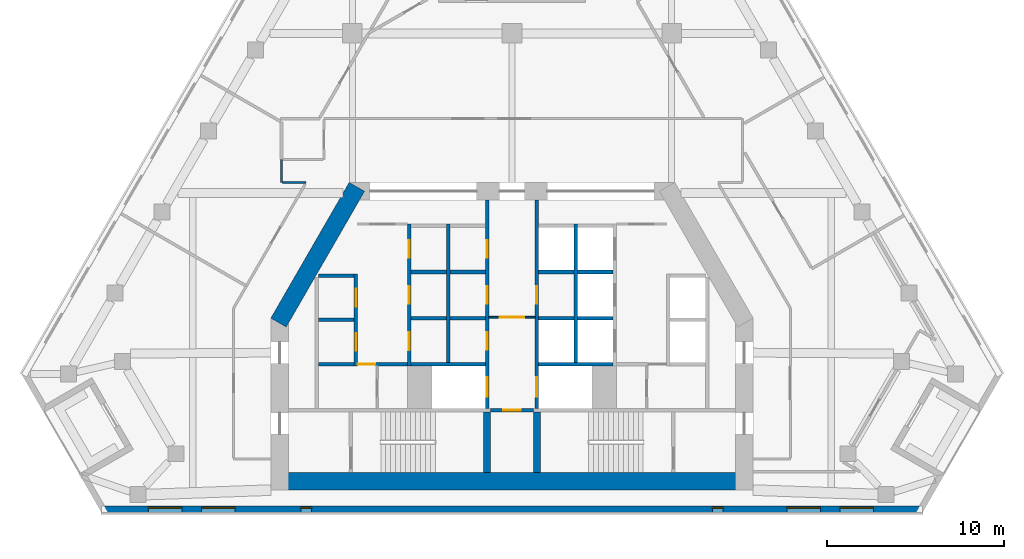
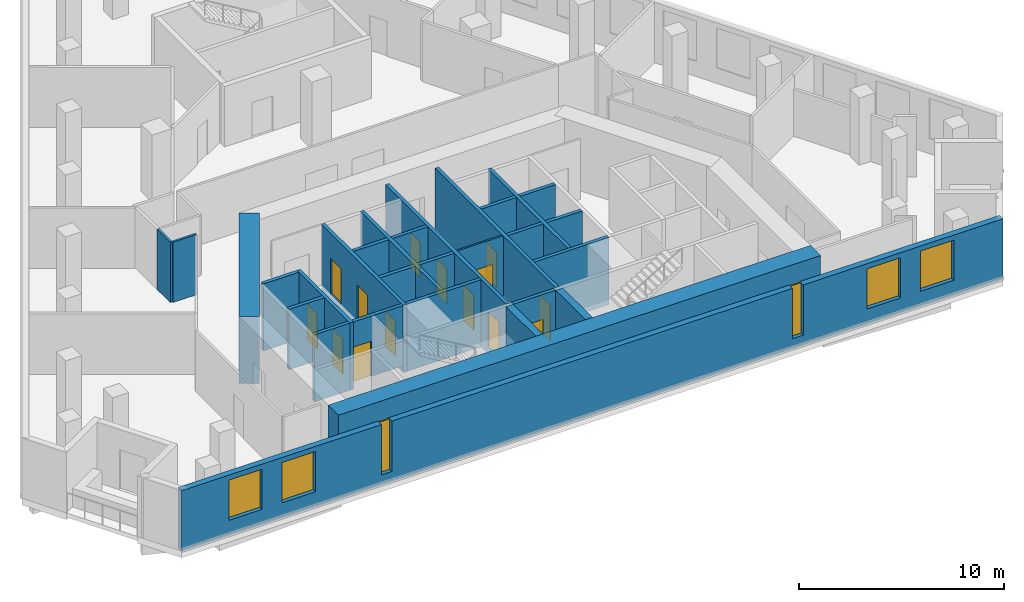
# One storey, part 4 of 9: 29 walls, 14 doors, 6 windows, 20 openings.
"""IFC4 building model written with IfcOpenShell, lengths in metres."""

from ifc_helpers import new_model, si_unit, direction, frame, frame_2d, origin, place, context, subcontext, project, spatial, rectangle, extrude, material, layer, layer_set, type_object, element, fill, save


model = new_model("IFC4")

# Units and contexts
model_context = context("Model", 3, precision=1e-05, world=origin(), true_north=direction((0.0, 1.0)))
body_context = subcontext(model_context, "Body", "Model", "MODEL_VIEW")
ifc_project = project(units=[si_unit("LENGTHUNIT", "METRE"), si_unit("AREAUNIT", "SQUARE_METRE"), si_unit("VOLUMEUNIT", "CUBIC_METRE"), si_unit("PLANEANGLEUNIT", "RADIAN"), si_unit("MASSUNIT", "GRAM", prefix="KILO")], contexts=[model_context])

# Site, building, storey
site_placement = place(None, origin())
site = spatial("IfcSite", under=ifc_project, at=site_placement, CompositionType="ELEMENT")
building_placement = place(site_placement, origin())
building = spatial("IfcBuilding", under=site, at=building_placement, Name="Fogline Exchange Tower", CompositionType="ELEMENT")
storey_placement = place(building_placement, frame((0.0, 0.0, 202.10009765625)))
storey = spatial("IfcBuildingStorey", under=building, at=storey_placement, Name="L45", CompositionType="ELEMENT", Elevation=202.10009765625)

# Wall, opening, door
ifc_material_1 = material(Name="Blockwork partition", Category="masonry")
ifc_layer_1 = layer(ifc_material_1, 0.10009765625)
ifc_layer_set_1 = layer_set([ifc_layer_1], Name="CW10")
wall_type_1 = type_object("IfcWallType", Name="CW10", PredefinedType="PARTITIONING", material=ifc_layer_set_1)
wall_1_placement = place(storey_placement, frame((-1.300048828125, 11.0, 0.0), z_axis=(0.0, 0.0, 1.0), x_axis=(1.0, 0.0, 0.0)))
wall_1 = element("IfcWall", 1, at=wall_1_placement, inside=storey, type_object=wall_type_1, Name="Lift lobby partition", PredefinedType="PARTITIONING", context=body_context, shape_type="SweptSolid", body=[
    extrude(rectangle(XDim=2.60009765625, YDim=0.10009765625, at=frame_2d((1.300048828125, 0.0))), origin(), (0.0, 0.0, 1.0), 3.599853515625),
])
opening_1_placement = place(wall_1_placement, frame((0.60009765625, 0.0, 0.0)))
opening_1 = element("IfcOpeningElement", 2, at=opening_1_placement, cuts=wall_1, Name="Opening T14-C023", PredefinedType="OPENING", context=body_context, shape_type="SweptSolid", body=[
    extrude(rectangle(XDim=1.39990234375, YDim=2.10009765625, at=frame_2d((0.699951171875, 1.050048828125))), frame((0.0, 0.06005859375, 0.0), z_axis=(0.0, -1.0, 0.0), x_axis=(1.0, 0.0, 0.0)), (0.0, 0.0, 1.0), 0.1201171875),
])
ifc_material_2 = material(Name="Steel and timber fire door", Category="steel")
door_type_1 = type_object("IfcDoorType", Name="D-LB1", OperationType="DOUBLE_DOOR_SINGLE_SWING", PredefinedType="DOOR", material=ifc_material_2)
door_1_placement = place(opening_1_placement, frame((1.39990234375, 0.0, 0.0), z_axis=(0.0, 0.0, 1.0), x_axis=(-1.0, 0.0, 0.0)))
door_1 = element("IfcDoor", 3, at=door_1_placement, inside=storey, type_object=door_type_1, Name="Door to firefighting lift lobby", OperationType="DOUBLE_DOOR_SINGLE_SWING", OverallHeight=2.10009765625, OverallWidth=1.39990234375, PredefinedType="DOOR", context=body_context, shape_type="SweptSolid", body=[
    extrude(rectangle(XDim=1.39990234375, YDim=2.10009765625, at=frame_2d((0.699951171875, 1.050048828125))), frame((0.0, 0.02490234375, 0.0), z_axis=(0.0, -1.0, 0.0), x_axis=(1.0, 0.0, 0.0)), (0.0, 0.0, 1.0), 0.050048828125),
])
fill(opening_1, door_1)

# Walls
ifc_material_3 = material(Name="Concrete C40", Category="concrete")
ifc_layer_2 = layer(ifc_material_3, 0.199951171875)
ifc_layer_set_2 = layer_set([ifc_layer_2], Name="CW20")
wall_type_2 = type_object("IfcWallType", Name="CW20", PredefinedType="SOLIDWALL", material=ifc_layer_set_2)
for number, where, z_axis, x_axis, name in (
    (4, (-10.89990234375, 10.85009765625, 0.0), (0.0, 0.0, 1.0), (1.0, 0.0, 0.0), "Service room wall"),
    (5, (-5.699951171875, 10.949951171875, 0.0), (0.0, 0.0, 1.0), (1.0, 0.0, 0.0), "Service room wall"),
    (6, (-5.699951171875, 13.550048828125, 0.0), (0.0, 0.0, 1.0), (1.0, 0.0, 0.0), "Service room wall"),
    (7, (-3.5, 10.949951171875, 0.0), (0.0, 0.0, 1.0), (1.0, 0.0, 0.0), "Service room wall"),
    (8, (-3.5, 13.550048828125, 0.0), (0.0, 0.0, 1.0), (1.0, 0.0, 0.0), "Service room wall"),
):
    element("IfcWall", number, at=place(storey_placement, frame(where, z_axis=z_axis, x_axis=x_axis)), inside=storey, type_object=wall_type_2, Name=name, PredefinedType="SOLIDWALL", context=body_context, shape_type="SweptSolid", body=[
        extrude(rectangle(XDim=2.0, YDim=0.199951171875, at=frame_2d((1.0, 0.0))), origin(), (0.0, 0.0, 1.0), 3.599853515625),
    ])

# Wall, opening, door
wall_2_placement = place(storey_placement, frame((-8.699951171875, 8.35009765625, 0.0), z_axis=(0.0, 0.0, 1.0), x_axis=(1.0, 0.0, 0.0)))
wall_2 = element("IfcWall", 9, at=wall_2_placement, inside=storey, type_object=wall_type_2, Name="WC wall", PredefinedType="SOLIDWALL", context=body_context, shape_type="SweptSolid", body=[
    extrude(rectangle(XDim=2.800048828125, YDim=0.199951171875, at=frame_2d((1.39990234375, 0.0))), origin(), (0.0, 0.0, 1.0), 3.599853515625),
])
opening_2_placement = place(wall_2_placement, origin())
opening_2 = element("IfcOpeningElement", 10, at=opening_2_placement, cuts=wall_2, Name="Opening T14-C012", PredefinedType="OPENING", context=body_context, shape_type="SweptSolid", body=[
    extrude(rectangle(XDim=1.0, YDim=2.10009765625, at=frame_2d((0.5, 1.050048828125))), frame((0.0, 0.10986328125, 0.0), z_axis=(0.0, -1.0, 0.0), x_axis=(1.0, 0.0, 0.0)), (0.0, 0.0, 1.0), 0.219970703125),
])
door_type_2 = type_object("IfcDoorType", Name="D-WC1", OperationType="SINGLE_SWING_LEFT", PredefinedType="DOOR", material=ifc_material_2)
door_2_placement = place(opening_2_placement, frame((1.0, 0.0, 0.0), z_axis=(0.0, 0.0, 1.0), x_axis=(-1.0, 0.0, 0.0)))
door_2 = element("IfcDoor", 11, at=door_2_placement, inside=storey, type_object=door_type_2, Name="Door to Men's WC", OperationType="SINGLE_SWING_LEFT", OverallHeight=2.10009765625, OverallWidth=1.0, PredefinedType="DOOR", context=body_context, shape_type="SweptSolid", body=[
    extrude(rectangle(XDim=1.0, YDim=2.10009765625, at=frame_2d((0.5, 1.050048828125))), frame((0.0, 0.02490234375, 0.0), z_axis=(0.0, -1.0, 0.0), x_axis=(1.0, 0.0, 0.0)), (0.0, 0.0, 1.0), 0.050048828125),
])
fill(opening_2, door_2)

ifc_layer_3 = layer(ifc_material_3, 0.199951171875)
ifc_layer_set_3 = layer_set([ifc_layer_3], Name="CW20R")
wall_type_3 = type_object("IfcWallType", Name="CW20R", PredefinedType="SOLIDWALL", material=ifc_layer_set_3)
wall_3_placement = place(storey_placement, frame((-1.199951171875, 5.75, -0.400146484375), z_axis=(0.0, 0.0, 1.0), x_axis=(1.0, 0.0, 0.0)))
wall_3 = element("IfcWall", 12, at=wall_3_placement, inside=storey, type_object=wall_type_3, Name="Stair enclosure wall", PredefinedType="SOLIDWALL", context=body_context, shape_type="SweptSolid", body=[
    extrude(rectangle(XDim=2.39990234375, YDim=0.199951171875, at=frame_2d((1.199951171875, 0.0))), origin(), (0.0, 0.0, 1.0), 4.0),
])
opening_3_placement = place(wall_3_placement, frame((0.699951171875, 0.0, 0.39990234375)))
opening_3 = element("IfcOpeningElement", 13, at=opening_3_placement, cuts=wall_3, Name="Opening T14-C010", PredefinedType="OPENING", context=body_context, shape_type="SweptSolid", body=[
    extrude(rectangle(XDim=1.0, YDim=2.10009765625, at=frame_2d((0.5, 1.050048828125))), frame((0.0, 0.10986328125, 0.0), z_axis=(0.0, -1.0, 0.0), x_axis=(1.0, 0.0, 0.0)), (0.0, 0.0, 1.0), 0.219970703125),
])
door_type_3 = type_object("IfcDoorType", Name="D-RM1", OperationType="SINGLE_SWING_LEFT", PredefinedType="DOOR", material=ifc_material_2)
door_3_placement = place(opening_3_placement, frame((1.0, 0.0, 0.0), z_axis=(0.0, 0.0, 1.0), x_axis=(-1.0, 0.0, 0.0)))
door_3 = element("IfcDoor", 14, at=door_3_placement, inside=storey, type_object=door_type_3, Name="Door to Library Store", OperationType="SINGLE_SWING_RIGHT", OverallHeight=2.10009765625, OverallWidth=1.0, PredefinedType="DOOR", context=body_context, shape_type="SweptSolid", body=[
    extrude(rectangle(XDim=1.0, YDim=2.10009765625, at=frame_2d((0.5, 1.050048828125))), frame((0.0, 0.02490234375, 0.0), z_axis=(0.0, -1.0, 0.0), x_axis=(1.0, 0.0, 0.0)), (0.0, 0.0, 1.0), 0.050048828125),
])
fill(opening_3, door_3)

# Wall, openings, doors
ifc_layer_4 = layer(ifc_material_3, 0.199951171875)
ifc_layer_set_4 = layer_set([ifc_layer_4], Name="CW20S")
wall_type_4 = type_object("IfcWallType", Name="CW20S", PredefinedType="SOLIDWALL", material=ifc_layer_set_4)
wall_4_placement = place(storey_placement, frame((-8.800048828125, 8.25, -0.400146484375), z_axis=(0.0, 0.0, 1.0), x_axis=(0.0, 1.0, 0.0)))
wall_4 = element("IfcWall", 15, at=wall_4_placement, inside=storey, type_object=wall_type_4, Name="Lift shaft wall", PredefinedType="SOLIDWALL", context=body_context, shape_type="SweptSolid", body=[
    extrude(rectangle(XDim=5.199951171875, YDim=0.199951171875, at=frame_2d((2.60009765625, 0.0))), origin(), (0.0, 0.0, 1.0), 4.0),
])
opening_4_placement = place(wall_4_placement, frame((0.85009765625, 0.0, 0.39990234375)))
opening_4 = element("IfcOpeningElement", 16, at=opening_4_placement, cuts=wall_4, Name="Opening T14-C001", PredefinedType="OPENING", context=body_context, shape_type="SweptSolid", body=[
    extrude(rectangle(XDim=1.0, YDim=2.10009765625, at=frame_2d((0.5, 1.050048828125))), frame((0.0, 0.10986328125, 0.0), z_axis=(0.0, -1.0, 0.0), x_axis=(1.0, 0.0, 0.0)), (0.0, 0.0, 1.0), 0.219970703125),
])
opening_5_placement = place(wall_4_placement, frame((3.35009765625, 0.0, 0.39990234375)))
opening_5 = element("IfcOpeningElement", 17, at=opening_5_placement, cuts=wall_4, Name="Opening T14-C002", PredefinedType="OPENING", context=body_context, shape_type="SweptSolid", body=[
    extrude(rectangle(XDim=1.0, YDim=2.10009765625, at=frame_2d((0.5, 1.050048828125))), frame((0.0, 0.10986328125, 0.0), z_axis=(0.0, -1.0, 0.0), x_axis=(1.0, 0.0, 0.0)), (0.0, 0.0, 1.0), 0.219970703125),
])
door_4_placement = place(opening_4_placement, origin())
door_4 = element("IfcDoor", 18, at=door_4_placement, inside=storey, type_object=door_type_3, Name="Door to Riser Room", OperationType="SINGLE_SWING_RIGHT", OverallHeight=2.10009765625, OverallWidth=1.0, PredefinedType="DOOR", context=body_context, shape_type="SweptSolid", body=[
    extrude(rectangle(XDim=1.0, YDim=2.10009765625, at=frame_2d((0.5, 1.050048828125))), frame((0.0, 0.02490234375, 0.0), z_axis=(0.0, -1.0, 0.0), x_axis=(1.0, 0.0, 0.0)), (0.0, 0.0, 1.0), 0.050048828125),
])
fill(opening_4, door_4)
door_5_placement = place(opening_5_placement, origin())
door_5 = element("IfcDoor", 19, at=door_5_placement, inside=storey, type_object=door_type_3, Name="Door to Plant Room", OperationType="SINGLE_SWING_RIGHT", OverallHeight=2.10009765625, OverallWidth=1.0, PredefinedType="DOOR", context=body_context, shape_type="SweptSolid", body=[
    extrude(rectangle(XDim=1.0, YDim=2.10009765625, at=frame_2d((0.5, 1.050048828125))), frame((0.0, 0.02490234375, 0.0), z_axis=(0.0, -1.0, 0.0), x_axis=(1.0, 0.0, 0.0)), (0.0, 0.0, 1.0), 0.050048828125),
])
fill(opening_5, door_5)

wall_5_placement = place(storey_placement, frame((-5.800048828125, 8.25, -0.400146484375), z_axis=(0.0, 0.0, 1.0), x_axis=(0.0, 1.0, 0.0)))
wall_5 = element("IfcWall", 20, at=wall_5_placement, inside=storey, type_object=wall_type_4, Name="Lift shaft wall", PredefinedType="SOLIDWALL", context=body_context, shape_type="SweptSolid", body=[
    extrude(rectangle(XDim=8.0, YDim=0.199951171875, at=frame_2d((4.0, 0.0))), origin(), (0.0, 0.0, 1.0), 4.0),
])
opening_6_placement = place(wall_5_placement, frame((0.89990234375, 0.0, 0.39990234375)))
opening_6 = element("IfcOpeningElement", 21, at=opening_6_placement, cuts=wall_5, Name="Opening T14-C003", PredefinedType="OPENING", context=body_context, shape_type="SweptSolid", body=[
    extrude(rectangle(XDim=1.0, YDim=2.10009765625, at=frame_2d((0.5, 1.050048828125))), frame((0.0, 0.10986328125, 0.0), z_axis=(0.0, -1.0, 0.0), x_axis=(1.0, 0.0, 0.0)), (0.0, 0.0, 1.0), 0.219970703125),
])
opening_7_placement = place(wall_5_placement, frame((3.5, 0.0, 0.39990234375)))
opening_7 = element("IfcOpeningElement", 22, at=opening_7_placement, cuts=wall_5, Name="Opening T14-C004", PredefinedType="OPENING", context=body_context, shape_type="SweptSolid", body=[
    extrude(rectangle(XDim=1.0, YDim=2.10009765625, at=frame_2d((0.5, 1.050048828125))), frame((0.0, 0.10986328125, 0.0), z_axis=(0.0, -1.0, 0.0), x_axis=(1.0, 0.0, 0.0)), (0.0, 0.0, 1.0), 0.219970703125),
])
opening_8_placement = place(wall_5_placement, frame((6.10009765625, 0.0, 0.39990234375)))
opening_8 = element("IfcOpeningElement", 23, at=opening_8_placement, cuts=wall_5, Name="Opening T14-C005", PredefinedType="OPENING", context=body_context, shape_type="SweptSolid", body=[
    extrude(rectangle(XDim=1.0, YDim=2.10009765625, at=frame_2d((0.5, 1.050048828125))), frame((0.0, 0.10986328125, 0.0), z_axis=(0.0, -1.0, 0.0), x_axis=(1.0, 0.0, 0.0)), (0.0, 0.0, 1.0), 0.219970703125),
])
door_6_placement = place(opening_6_placement, frame((1.0, 0.0, 0.0), z_axis=(0.0, 0.0, 1.0), x_axis=(-1.0, 0.0, 0.0)))
door_6 = element("IfcDoor", 24, at=door_6_placement, inside=storey, type_object=door_type_3, Name="Door to Cable Store", OperationType="SINGLE_SWING_LEFT", OverallHeight=2.10009765625, OverallWidth=1.0, PredefinedType="DOOR", context=body_context, shape_type="SweptSolid", body=[
    extrude(rectangle(XDim=1.0, YDim=2.10009765625, at=frame_2d((0.5, 1.050048828125))), frame((0.0, 0.02490234375, 0.0), z_axis=(0.0, -1.0, 0.0), x_axis=(1.0, 0.0, 0.0)), (0.0, 0.0, 1.0), 0.050048828125),
])
fill(opening_6, door_6)
door_7_placement = place(opening_7_placement, frame((1.0, 0.0, 0.0), z_axis=(0.0, 0.0, 1.0), x_axis=(-1.0, 0.0, 0.0)))
door_7 = element("IfcDoor", 25, at=door_7_placement, inside=storey, type_object=door_type_3, Name="Door to Server Room", OperationType="SINGLE_SWING_RIGHT", OverallHeight=2.10009765625, OverallWidth=1.0, PredefinedType="DOOR", context=body_context, shape_type="SweptSolid", body=[
    extrude(rectangle(XDim=1.0, YDim=2.10009765625, at=frame_2d((0.5, 1.050048828125))), frame((0.0, 0.02490234375, 0.0), z_axis=(0.0, -1.0, 0.0), x_axis=(1.0, 0.0, 0.0)), (0.0, 0.0, 1.0), 0.050048828125),
])
fill(opening_7, door_7)
door_8_placement = place(opening_8_placement, frame((1.0, 0.0, 0.0), z_axis=(0.0, 0.0, 1.0), x_axis=(-1.0, 0.0, 0.0)))
door_8 = element("IfcDoor", 26, at=door_8_placement, inside=storey, type_object=door_type_3, Name="Door to Archive Store", OperationType="SINGLE_SWING_RIGHT", OverallHeight=2.10009765625, OverallWidth=1.0, PredefinedType="DOOR", context=body_context, shape_type="SweptSolid", body=[
    extrude(rectangle(XDim=1.0, YDim=2.10009765625, at=frame_2d((0.5, 1.050048828125))), frame((0.0, 0.02490234375, 0.0), z_axis=(0.0, -1.0, 0.0), x_axis=(1.0, 0.0, 0.0)), (0.0, 0.0, 1.0), 0.050048828125),
])
fill(opening_8, door_8)

# Walls
for number, where, z_axis, x_axis, name in (
    (27, (-3.60009765625, 8.449951171875, -0.400146484375), (0.0, 0.0, 1.0), (0.0, 1.0, 0.0), "Lift shaft wall"),
    (28, (3.60009765625, 8.449951171875, -0.400146484375), (0.0, 0.0, 1.0), (0.0, 1.0, 0.0), "Lift shaft wall"),
):
    element("IfcWall", number, at=place(storey_placement, frame(where, z_axis=z_axis, x_axis=x_axis)), inside=storey, type_object=wall_type_4, Name=name, PredefinedType="SOLIDWALL", context=body_context, shape_type="SweptSolid", body=[
        extrude(rectangle(XDim=7.800048828125, YDim=0.199951171875, at=frame_2d((3.89990234375, 0.0))), origin(), (0.0, 0.0, 1.0), 4.0),
    ])

# Wall, openings, doors
wall_6_placement = place(storey_placement, frame((-1.39990234375, 5.85009765625, -0.400146484375), z_axis=(0.0, 0.0, 1.0), x_axis=(0.0, 1.0, 0.0)))
wall_6 = element("IfcWall", 29, at=wall_6_placement, inside=storey, type_object=wall_type_4, Name="Lift lobby wall", PredefinedType="SOLIDWALL", context=body_context, shape_type="SweptSolid", body=[
    extrude(rectangle(XDim=11.75, YDim=0.199951171875, at=frame_2d((5.875, 0.0))), origin(), (0.0, 0.0, 1.0), 4.0),
])
opening_9_placement = place(wall_6_placement, frame((0.64990234375, 0.0, 0.39990234375)))
opening_9 = element("IfcOpeningElement", 30, at=opening_9_placement, cuts=wall_6, Name="Opening T14-LD01", PredefinedType="OPENING", context=body_context, shape_type="SweptSolid", body=[
    extrude(rectangle(XDim=1.10009765625, YDim=2.10009765625, at=frame_2d((0.550048828125, 1.050048828125))), frame((0.0, 0.10986328125, 0.0), z_axis=(0.0, -1.0, 0.0), x_axis=(1.0, 0.0, 0.0)), (0.0, 0.0, 1.0), 0.219970703125),
])
opening_10_placement = place(wall_6_placement, frame((3.300048828125, 0.0, 0.39990234375)))
opening_10 = element("IfcOpeningElement", 31, at=opening_10_placement, cuts=wall_6, Name="Opening T14-C006", PredefinedType="OPENING", context=body_context, shape_type="SweptSolid", body=[
    extrude(rectangle(XDim=1.0, YDim=2.10009765625, at=frame_2d((0.5, 1.050048828125))), frame((0.0, 0.10986328125, 0.0), z_axis=(0.0, -1.0, 0.0), x_axis=(1.0, 0.0, 0.0)), (0.0, 0.0, 1.0), 0.219970703125),
])
opening_11_placement = place(wall_6_placement, frame((5.89990234375, 0.0, 0.39990234375)))
opening_11 = element("IfcOpeningElement", 32, at=opening_11_placement, cuts=wall_6, Name="Opening T14-C007", PredefinedType="OPENING", context=body_context, shape_type="SweptSolid", body=[
    extrude(rectangle(XDim=1.0, YDim=2.10009765625, at=frame_2d((0.5, 1.050048828125))), frame((0.0, 0.10986328125, 0.0), z_axis=(0.0, -1.0, 0.0), x_axis=(1.0, 0.0, 0.0)), (0.0, 0.0, 1.0), 0.219970703125),
])
opening_12_placement = place(wall_6_placement, frame((8.5, 0.0, 0.39990234375)))
opening_12 = element("IfcOpeningElement", 33, at=opening_12_placement, cuts=wall_6, Name="Opening T14-C008", PredefinedType="OPENING", context=body_context, shape_type="SweptSolid", body=[
    extrude(rectangle(XDim=1.0, YDim=2.10009765625, at=frame_2d((0.5, 1.050048828125))), frame((0.0, 0.10986328125, 0.0), z_axis=(0.0, -1.0, 0.0), x_axis=(1.0, 0.0, 0.0)), (0.0, 0.0, 1.0), 0.219970703125),
])
door_9_placement = place(opening_10_placement, origin())
door_9 = element("IfcDoor", 34, at=door_9_placement, inside=storey, type_object=door_type_3, Name="Door to Library Store", OperationType="SINGLE_SWING_LEFT", OverallHeight=2.10009765625, OverallWidth=1.0, PredefinedType="DOOR", context=body_context, shape_type="SweptSolid", body=[
    extrude(rectangle(XDim=1.0, YDim=2.10009765625, at=frame_2d((0.5, 1.050048828125))), frame((0.0, 0.02490234375, 0.0), z_axis=(0.0, -1.0, 0.0), x_axis=(1.0, 0.0, 0.0)), (0.0, 0.0, 1.0), 0.050048828125),
])
fill(opening_10, door_9)
door_10_placement = place(opening_11_placement, origin())
door_10 = element("IfcDoor", 35, at=door_10_placement, inside=storey, type_object=door_type_3, Name="Door to Stationery Store", OperationType="SINGLE_SWING_LEFT", OverallHeight=2.10009765625, OverallWidth=1.0, PredefinedType="DOOR", context=body_context, shape_type="SweptSolid", body=[
    extrude(rectangle(XDim=1.0, YDim=2.10009765625, at=frame_2d((0.5, 1.050048828125))), frame((0.0, 0.02490234375, 0.0), z_axis=(0.0, -1.0, 0.0), x_axis=(1.0, 0.0, 0.0)), (0.0, 0.0, 1.0), 0.050048828125),
])
fill(opening_11, door_10)
door_11_placement = place(opening_12_placement, origin())
door_11 = element("IfcDoor", 36, at=door_11_placement, inside=storey, type_object=door_type_3, Name="Door to Records Store", OperationType="SINGLE_SWING_LEFT", OverallHeight=2.10009765625, OverallWidth=1.0, PredefinedType="DOOR", context=body_context, shape_type="SweptSolid", body=[
    extrude(rectangle(XDim=1.0, YDim=2.10009765625, at=frame_2d((0.5, 1.050048828125))), frame((0.0, 0.02490234375, 0.0), z_axis=(0.0, -1.0, 0.0), x_axis=(1.0, 0.0, 0.0)), (0.0, 0.0, 1.0), 0.050048828125),
])
fill(opening_12, door_11)
door_type_4 = type_object("IfcDoorType", Name="LD2", OperationType="SLIDING_TO_RIGHT", PredefinedType="DOOR", material=ifc_material_2)
door_12_placement = place(opening_9_placement, origin())
door_12 = element("IfcDoor", 37, at=door_12_placement, inside=storey, type_object=door_type_4, Name="Landing door FF1", OperationType="SLIDING_TO_RIGHT", OverallHeight=2.10009765625, OverallWidth=1.10009765625, PredefinedType="DOOR", context=body_context, shape_type="SweptSolid", body=[
    extrude(rectangle(XDim=1.10009765625, YDim=2.10009765625, at=frame_2d((0.550048828125, 1.050048828125))), frame((0.0, 0.02490234375, 0.0), z_axis=(0.0, -1.0, 0.0), x_axis=(1.0, 0.0, 0.0)), (0.0, 0.0, 1.0), 0.050048828125),
])
fill(opening_9, door_12)

wall_7_placement = place(storey_placement, frame((1.39990234375, 5.85009765625, -0.400146484375), z_axis=(0.0, 0.0, 1.0), x_axis=(0.0, 1.0, 0.0)))
wall_7 = element("IfcWall", 38, at=wall_7_placement, inside=storey, type_object=wall_type_4, Name="Lift lobby wall", PredefinedType="SOLIDWALL", context=body_context, shape_type="SweptSolid", body=[
    extrude(rectangle(XDim=11.75, YDim=0.199951171875, at=frame_2d((5.875, 0.0))), origin(), (0.0, 0.0, 1.0), 4.0),
])
opening_13_placement = place(wall_7_placement, frame((0.64990234375, 0.0, 0.39990234375)))
opening_13 = element("IfcOpeningElement", 39, at=opening_13_placement, cuts=wall_7, Name="Opening T14-LD05", PredefinedType="OPENING", context=body_context, shape_type="SweptSolid", body=[
    extrude(rectangle(XDim=1.10009765625, YDim=2.10009765625, at=frame_2d((0.550048828125, 1.050048828125))), frame((0.0, 0.10986328125, 0.0), z_axis=(0.0, -1.0, 0.0), x_axis=(1.0, 0.0, 0.0)), (0.0, 0.0, 1.0), 0.219970703125),
])
opening_14_placement = place(wall_7_placement, frame((5.89990234375, 0.0, 0.39990234375)))
opening_14 = element("IfcOpeningElement", 40, at=opening_14_placement, cuts=wall_7, Name="Opening T14-C009", PredefinedType="OPENING", context=body_context, shape_type="SweptSolid", body=[
    extrude(rectangle(XDim=1.0, YDim=2.10009765625, at=frame_2d((0.5, 1.050048828125))), frame((0.0, 0.10986328125, 0.0), z_axis=(0.0, -1.0, 0.0), x_axis=(1.0, 0.0, 0.0)), (0.0, 0.0, 1.0), 0.219970703125),
])
door_13_placement = place(opening_14_placement, frame((1.0, 0.0, 0.0), z_axis=(0.0, 0.0, 1.0), x_axis=(-1.0, 0.0, 0.0)))
door_13 = element("IfcDoor", 41, at=door_13_placement, inside=storey, type_object=door_type_3, Name="Door to Server Room", OperationType="SINGLE_SWING_RIGHT", OverallHeight=2.10009765625, OverallWidth=1.0, PredefinedType="DOOR", context=body_context, shape_type="SweptSolid", body=[
    extrude(rectangle(XDim=1.0, YDim=2.10009765625, at=frame_2d((0.5, 1.050048828125))), frame((0.0, 0.02490234375, 0.0), z_axis=(0.0, -1.0, 0.0), x_axis=(1.0, 0.0, 0.0)), (0.0, 0.0, 1.0), 0.050048828125),
])
fill(opening_14, door_13)
door_14_placement = place(opening_13_placement, origin())
door_14 = element("IfcDoor", 42, at=door_14_placement, inside=storey, type_object=door_type_4, Name="Landing door FF2", OperationType="SLIDING_TO_RIGHT", OverallHeight=2.10009765625, OverallWidth=1.10009765625, PredefinedType="DOOR", context=body_context, shape_type="SweptSolid", body=[
    extrude(rectangle(XDim=1.10009765625, YDim=2.10009765625, at=frame_2d((0.550048828125, 1.050048828125))), frame((0.0, 0.02490234375, 0.0), z_axis=(0.0, -1.0, 0.0), x_axis=(1.0, 0.0, 0.0)), (0.0, 0.0, 1.0), 0.050048828125),
])
fill(opening_13, door_14)

# Walls
wall_8_placement = place(storey_placement, frame((-10.89990234375, 8.35009765625, -0.400146484375), z_axis=(0.0, 0.0, 1.0), x_axis=(1.0, 0.0, 0.0)))
element("IfcWall", 43, at=wall_8_placement, inside=storey, type_object=wall_type_4, Name="Lift shaft wall", PredefinedType="SOLIDWALL", context=body_context, shape_type="SweptSolid", body=[
    extrude(rectangle(XDim=2.0, YDim=0.199951171875, at=frame_2d((1.0, 0.0))), origin(), (0.0, 0.0, 1.0), 4.0),
])
for number, where, z_axis, x_axis, name in (
    (44, (-5.699951171875, 8.35009765625, -0.400146484375), (0.0, 0.0, 1.0), (1.0, 0.0, 0.0), "Lift shaft wall"),
    (45, (1.5, 8.35009765625, -0.400146484375), (0.0, 0.0, 1.0), (1.0, 0.0, 0.0), "Lift shaft wall"),
):
    element("IfcWall", number, at=place(storey_placement, frame(where, z_axis=z_axis, x_axis=x_axis)), inside=storey, type_object=wall_type_4, Name=name, PredefinedType="SOLIDWALL", context=body_context, shape_type="SweptSolid", body=[
        extrude(rectangle(XDim=4.199951171875, YDim=0.199951171875, at=frame_2d((2.10009765625, 0.0))), origin(), (0.0, 0.0, 1.0), 4.0),
    ])
for number, where, z_axis, x_axis, name in (
    (46, (-10.89990234375, 13.35009765625, -0.400146484375), (0.0, 0.0, 1.0), (1.0, 0.0, 0.0), "Lift shaft wall"),
    (47, (3.699951171875, 10.949951171875, -0.400146484375), (0.0, 0.0, 1.0), (1.0, 0.0, 0.0), "Lift shaft wall"),
    (48, (3.699951171875, 13.550048828125, -0.400146484375), (0.0, 0.0, 1.0), (1.0, 0.0, 0.0), "Lift shaft wall"),
    (49, (1.5, 10.949951171875, -0.400146484375), (0.0, 0.0, 1.0), (1.0, 0.0, 0.0), "Lift shaft wall"),
    (50, (1.5, 13.550048828125, -0.400146484375), (0.0, 0.0, 1.0), (1.0, 0.0, 0.0), "Lift shaft wall"),
):
    element("IfcWall", number, at=place(storey_placement, frame(where, z_axis=z_axis, x_axis=x_axis)), inside=storey, type_object=wall_type_4, Name=name, PredefinedType="SOLIDWALL", context=body_context, shape_type="SweptSolid", body=[
        extrude(rectangle(XDim=2.0, YDim=0.199951171875, at=frame_2d((1.0, 0.0))), origin(), (0.0, 0.0, 1.0), 4.0),
    ])
ifc_layer_5 = layer(ifc_material_3, 0.39990234375)
ifc_layer_set_5 = layer_set([ifc_layer_5], Name="CW40R")
wall_type_5 = type_object("IfcWallType", Name="CW40R", PredefinedType="SOLIDWALL", material=ifc_layer_set_5)
for number, where, z_axis, x_axis, name in (
    (51, (-1.39990234375, 2.25, -0.400146484375), (0.0, 0.0, 1.0), (0.0, 1.0, 0.0), "Stair and lift shaft wall"),
    (52, (1.39990234375, 2.25, -0.400146484375), (0.0, 0.0, 1.0), (0.0, 1.0, 0.0), "Stair and lift shaft wall"),
):
    element("IfcWall", number, at=place(storey_placement, frame(where, z_axis=z_axis, x_axis=x_axis)), inside=storey, type_object=wall_type_5, Name=name, PredefinedType="SOLIDWALL", context=body_context, shape_type="SweptSolid", body=[
        extrude(rectangle(XDim=3.39990234375, YDim=0.39990234375, at=frame_2d((1.699951171875, 0.0))), origin(), (0.0, 0.0, 1.0), 4.0),
    ])

# Wall, openings, windows
ifc_material_4 = material(Name="Brick masonry", Category="masonry")
ifc_layer_6 = layer(ifc_material_4, 0.340087890625)
ifc_layer_set_6 = layer_set([ifc_layer_6], Name="FW1")
wall_type_6 = type_object("IfcWallType", Name="FW1", PredefinedType="SOLIDWALL", material=ifc_layer_set_6)
wall_9_placement = place(storey_placement, frame((-23.158935546875, 0.169921875, 0.0), z_axis=(0.0, 0.0, 1.0), x_axis=(1.0, 0.0, 0.0)))
wall_9 = element("IfcWall", 53, at=wall_9_placement, inside=storey, type_object=wall_type_6, Name="Brick wall L45 S", PredefinedType="SOLIDWALL", context=body_context, shape_type="SweptSolid", body=[
    extrude(rectangle(XDim=46.31787109375, YDim=0.340087890625, at=frame_2d((23.158935546875, 0.0))), origin(), (0.0, 0.0, 1.0), 3.599853515625),
])
opening_15_placement = place(wall_9_placement, frame((2.658935546875, 0.0, 0.89990234375)))
opening_15 = element("IfcOpeningElement", 54, at=opening_15_placement, cuts=wall_9, Name="Opening W1", PredefinedType="OPENING", context=body_context, shape_type="SweptSolid", body=[
    extrude(rectangle(XDim=1.885009765625, YDim=2.39990234375, at=frame_2d((0.9423828125, 1.199951171875))), frame((0.0, 0.18017578125, 0.0), z_axis=(0.0, -1.0, 0.0), x_axis=(1.0, 0.0, 0.0)), (0.0, 0.0, 1.0), 0.360107421875),
])
opening_16_placement = place(wall_9_placement, frame((5.658935546875, 0.0, 0.89990234375)))
opening_16 = element("IfcOpeningElement", 55, at=opening_16_placement, cuts=wall_9, Name="Opening W1", PredefinedType="OPENING", context=body_context, shape_type="SweptSolid", body=[
    extrude(rectangle(XDim=1.885009765625, YDim=2.39990234375, at=frame_2d((0.9423828125, 1.199951171875))), frame((0.0, 0.18017578125, 0.0), z_axis=(0.0, -1.0, 0.0), x_axis=(1.0, 0.0, 0.0)), (0.0, 0.0, 1.0), 0.360107421875),
])
opening_17_placement = place(wall_9_placement, frame((38.658935546875, 0.0, 0.89990234375)))
opening_17 = element("IfcOpeningElement", 56, at=opening_17_placement, cuts=wall_9, Name="Opening W1", PredefinedType="OPENING", context=body_context, shape_type="SweptSolid", body=[
    extrude(rectangle(XDim=1.885009765625, YDim=2.39990234375, at=frame_2d((0.9423828125, 1.199951171875))), frame((0.0, 0.18017578125, 0.0), z_axis=(0.0, -1.0, 0.0), x_axis=(1.0, 0.0, 0.0)), (0.0, 0.0, 1.0), 0.360107421875),
])
opening_18_placement = place(wall_9_placement, frame((41.658935546875, 0.0, 0.89990234375)))
opening_18 = element("IfcOpeningElement", 57, at=opening_18_placement, cuts=wall_9, Name="Opening W1", PredefinedType="OPENING", context=body_context, shape_type="SweptSolid", body=[
    extrude(rectangle(XDim=1.885009765625, YDim=2.39990234375, at=frame_2d((0.9423828125, 1.199951171875))), frame((0.0, 0.18017578125, 0.0), z_axis=(0.0, -1.0, 0.0), x_axis=(1.0, 0.0, 0.0)), (0.0, 0.0, 1.0), 0.360107421875),
])
opening_19_placement = place(wall_9_placement, frame((11.259033203125, 0.0, 0.60009765625)))
opening_19 = element("IfcOpeningElement", 58, at=opening_19_placement, cuts=wall_9, Name="Opening W5", PredefinedType="OPENING", context=body_context, shape_type="SweptSolid", body=[
    extrude(rectangle(XDim=0.60009765625, YDim=3.0, at=frame_2d((0.300048828125, 1.5))), frame((0.0, 0.18017578125, 0.0), z_axis=(0.0, -1.0, 0.0), x_axis=(1.0, 0.0, 0.0)), (0.0, 0.0, 1.0), 0.360107421875),
])
opening_20_placement = place(wall_9_placement, frame((34.458984375, 0.0, 0.60009765625)))
opening_20 = element("IfcOpeningElement", 59, at=opening_20_placement, cuts=wall_9, Name="Opening W5", PredefinedType="OPENING", context=body_context, shape_type="SweptSolid", body=[
    extrude(rectangle(XDim=0.60009765625, YDim=3.0, at=frame_2d((0.300048828125, 1.5))), frame((0.0, 0.18017578125, 0.0), z_axis=(0.0, -1.0, 0.0), x_axis=(1.0, 0.0, 0.0)), (0.0, 0.0, 1.0), 0.360107421875),
])
ifc_material_5 = material(Name="Aluminium and glass", Category="aluminium")
window_type_1 = type_object("IfcWindowType", Name="W1", PartitioningType="SINGLE_PANEL", PredefinedType="WINDOW", material=ifc_material_5)
window_1_placement = place(opening_15_placement, origin())
window_1 = element("IfcWindow", 60, at=window_1_placement, inside=storey, type_object=window_type_1, Name="W1 W1", OverallHeight=2.39990234375, OverallWidth=1.885009765625, PartitioningType="SINGLE_PANEL", PredefinedType="WINDOW", context=body_context, shape_type="SweptSolid", body=[
    extrude(rectangle(XDim=1.885009765625, YDim=2.39990234375, at=frame_2d((0.9423828125, 1.199951171875))), frame((0.0, 0.110107421875, 0.0), z_axis=(0.0, -1.0, 0.0), x_axis=(1.0, 0.0, 0.0)), (0.0, 0.0, 1.0), 0.06005859375),
])
fill(opening_15, window_1)
window_2_placement = place(opening_16_placement, origin())
window_2 = element("IfcWindow", 61, at=window_2_placement, inside=storey, type_object=window_type_1, Name="W1 W1", OverallHeight=2.39990234375, OverallWidth=1.885009765625, PartitioningType="SINGLE_PANEL", PredefinedType="WINDOW", context=body_context, shape_type="SweptSolid", body=[
    extrude(rectangle(XDim=1.885009765625, YDim=2.39990234375, at=frame_2d((0.9423828125, 1.199951171875))), frame((0.0, 0.110107421875, 0.0), z_axis=(0.0, -1.0, 0.0), x_axis=(1.0, 0.0, 0.0)), (0.0, 0.0, 1.0), 0.06005859375),
])
fill(opening_16, window_2)
window_3_placement = place(opening_17_placement, origin())
window_3 = element("IfcWindow", 62, at=window_3_placement, inside=storey, type_object=window_type_1, Name="W1 W1", OverallHeight=2.39990234375, OverallWidth=1.885009765625, PartitioningType="SINGLE_PANEL", PredefinedType="WINDOW", context=body_context, shape_type="SweptSolid", body=[
    extrude(rectangle(XDim=1.885009765625, YDim=2.39990234375, at=frame_2d((0.9423828125, 1.199951171875))), frame((0.0, 0.110107421875, 0.0), z_axis=(0.0, -1.0, 0.0), x_axis=(1.0, 0.0, 0.0)), (0.0, 0.0, 1.0), 0.06005859375),
])
fill(opening_17, window_3)
window_4_placement = place(opening_18_placement, origin())
window_4 = element("IfcWindow", 63, at=window_4_placement, inside=storey, type_object=window_type_1, Name="W1 W1", OverallHeight=2.39990234375, OverallWidth=1.885009765625, PartitioningType="SINGLE_PANEL", PredefinedType="WINDOW", context=body_context, shape_type="SweptSolid", body=[
    extrude(rectangle(XDim=1.885009765625, YDim=2.39990234375, at=frame_2d((0.9423828125, 1.199951171875))), frame((0.0, 0.110107421875, 0.0), z_axis=(0.0, -1.0, 0.0), x_axis=(1.0, 0.0, 0.0)), (0.0, 0.0, 1.0), 0.06005859375),
])
fill(opening_18, window_4)
window_type_2 = type_object("IfcWindowType", Name="W5", PartitioningType="SINGLE_PANEL", PredefinedType="WINDOW", material=ifc_material_5)
window_5_placement = place(opening_19_placement, origin())
window_5 = element("IfcWindow", 64, at=window_5_placement, inside=storey, type_object=window_type_2, Name="W5 W5", OverallHeight=3.0, OverallWidth=0.60009765625, PartitioningType="SINGLE_PANEL", PredefinedType="WINDOW", context=body_context, shape_type="SweptSolid", body=[
    extrude(rectangle(XDim=0.60009765625, YDim=3.0, at=frame_2d((0.300048828125, 1.5))), frame((0.0, 0.110107421875, 0.0), z_axis=(0.0, -1.0, 0.0), x_axis=(1.0, 0.0, 0.0)), (0.0, 0.0, 1.0), 0.06005859375),
])
fill(opening_19, window_5)
window_6_placement = place(opening_20_placement, origin())
window_6 = element("IfcWindow", 65, at=window_6_placement, inside=storey, type_object=window_type_2, Name="W5 W5", OverallHeight=3.0, OverallWidth=0.60009765625, PartitioningType="SINGLE_PANEL", PredefinedType="WINDOW", context=body_context, shape_type="SweptSolid", body=[
    extrude(rectangle(XDim=0.60009765625, YDim=3.0, at=frame_2d((0.300048828125, 1.5))), frame((0.0, 0.110107421875, 0.0), z_axis=(0.0, -1.0, 0.0), x_axis=(1.0, 0.0, 0.0)), (0.0, 0.0, 1.0), 0.06005859375),
])
fill(opening_20, window_6)

# Walls
ifc_material_6 = material(Name="Plasterboard corridor partition with mineral wool, 2 layers each side")
ifc_layer_7 = layer(ifc_material_6, 0.125)
ifc_layer_set_7 = layer_set([ifc_layer_7], Name="PW2")
wall_type_7 = type_object("IfcWallType", Name="PW2", PredefinedType="PARTITIONING", material=ifc_layer_set_7)
wall_10_placement = place(storey_placement, frame((-11.60546875, 18.60009765625, 0.0), z_axis=(0.0, 0.0, 1.0), x_axis=(-1.0, 0.0, 0.0)))
element("IfcWall", 66, at=wall_10_placement, inside=storey, type_object=wall_type_7, Name="wall-L45-W010", PredefinedType="PARTITIONING", context=body_context, shape_type="SweptSolid", body=[
    extrude(rectangle(XDim=1.33203125, YDim=0.125, at=frame_2d((0.666015625, 0.0))), origin(), (0.0, 0.0, 1.0), 3.599853515625),
])
wall_11_placement = place(storey_placement, frame((-13.0, 18.60009765625, 0.0), z_axis=(0.0, 0.0, 1.0), x_axis=(0.0, 1.0, 0.0)))
element("IfcWall", 67, at=wall_11_placement, inside=storey, type_object=wall_type_7, Name="wall-L45-W011", PredefinedType="PARTITIONING", context=body_context, shape_type="SweptSolid", body=[
    extrude(rectangle(XDim=1.2998046875, YDim=0.125, at=frame_2d((0.64990234375, 0.0))), origin(), (0.0, 0.0, 1.0), 3.599853515625),
])
ifc_material_7 = material(Name="Concrete C60", Category="concrete")
ifc_layer_8 = layer(ifc_material_7, 1.0)
ifc_layer_set_8 = layer_set([ifc_layer_8], Name="SW03")
wall_type_8 = type_object("IfcWallType", Name="SW03", PredefinedType="SHEAR", material=ifc_layer_set_8)
wall_12_placement = place(storey_placement, frame((-13.60009765625, 1.75, 0.0), z_axis=(0.0, 0.0, 1.0), x_axis=(1.0, 0.0, 0.0)))
element("IfcWall", 68, at=wall_12_placement, inside=storey, type_object=wall_type_8, Name="L45-W901", PredefinedType="SHEAR", context=body_context, shape_type="SweptSolid", body=[
    extrude(rectangle(XDim=27.2001953125, YDim=1.0, at=frame_2d((13.60009765625, 0.0))), origin(), (0.0, 0.0, 1.0), 4.0),
])
wall_13_placement = place(storey_placement, frame((-8.74755859375, 18.35009765625, 0.0), z_axis=(0.0, 0.0, 1.0), x_axis=(-0.499995021168, -0.866028278295, 0.0)))
element("IfcWall", 69, at=wall_13_placement, inside=storey, type_object=wall_type_8, Name="L45-W905", PredefinedType="SHEAR", context=body_context, shape_type="SweptSolid", body=[
    extrude(rectangle(XDim=8.8388671875, YDim=1.0, at=frame_2d((4.41943359375, 0.0))), origin(), (0.0, 0.0, 1.0), 4.0),
])

save(model, "model.ifc")
